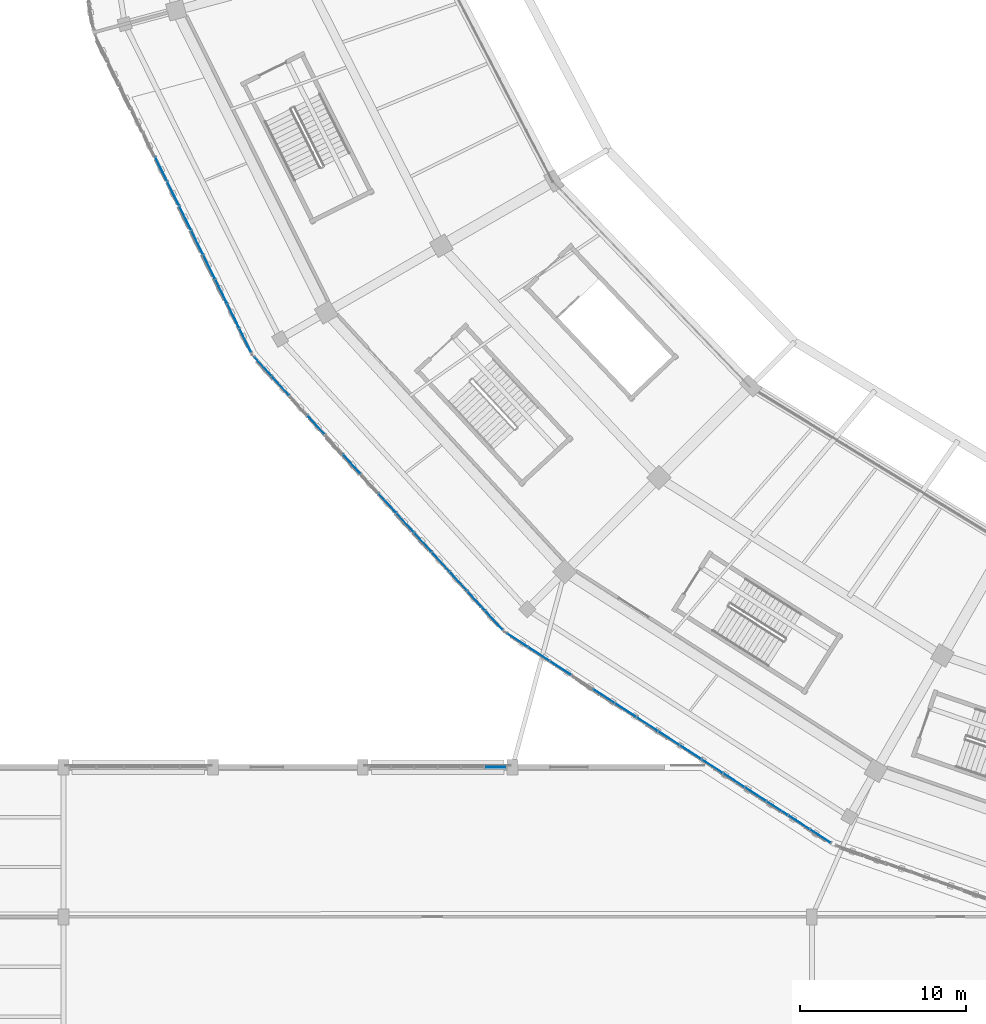
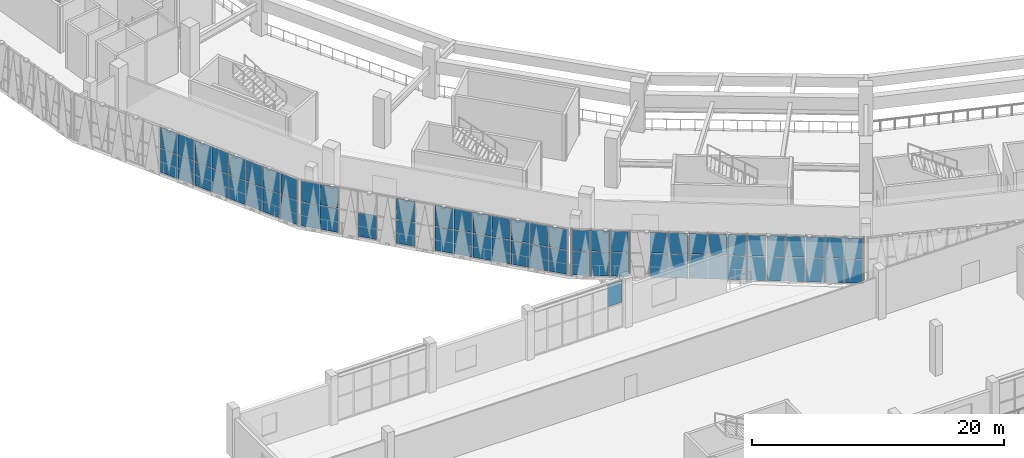
# One storey, part 76 of 179: 66 plates, 4 elements without a shape of their own.
"""IFC4 building model written with IfcOpenShell, lengths in metres."""

from ifc_helpers import new_model, si_unit, direction, frame, origin, origin_2d, place, context, subcontext, project, spatial, rectangle, extrude, material, layer, layer_set, type_object, element, aggregate, save


model = new_model("IFC4")

# Units and contexts
model_context = context("Model", 3, precision=1e-05, world=origin(), true_north=direction((0.0, 1.0)))
body_context = subcontext(model_context, "Body", "Model", "MODEL_VIEW")
ifc_project = project(units=[si_unit("LENGTHUNIT", "METRE"), si_unit("AREAUNIT", "SQUARE_METRE"), si_unit("VOLUMEUNIT", "CUBIC_METRE"), si_unit("PLANEANGLEUNIT", "RADIAN"), si_unit("MASSUNIT", "GRAM", prefix="KILO")], contexts=[model_context])

# Site, building, storey
site_placement = place(None, origin())
site = spatial("IfcSite", under=ifc_project, at=site_placement, CompositionType="ELEMENT")
building_placement = place(site_placement, origin())
building = spatial("IfcBuilding", under=site, at=building_placement, Name="Zevraka Park Crest Stadium", CompositionType="ELEMENT")
storey_placement = place(building_placement, frame((0.0, 0.0, 10.199951171875)))
storey = spatial("IfcBuildingStorey", under=building, at=storey_placement, Name="L02", CompositionType="ELEMENT", Elevation=10.199951171875)

# Curtain wall, plates
ifc_material_1 = material(Name="Anodised architectural aluminium and laminated safety glass", Category="aluminium")
curtain_wall_type_1 = type_object("IfcCurtainWallType", Name="CW07", PredefinedType="NOTDEFINED", material=ifc_material_1)
curtain_wall_1_placement = place(storey_placement, origin())
curtain_wall_1 = element("IfcCurtainWall", 1, at=curtain_wall_1_placement, inside=storey, type_object=curtain_wall_type_1, Name="Unitised Ring Curtain Wall CW07 L02-13", PredefinedType="NOTDEFINED")
ifc_material_2 = material(Name="Solar-control laminated double glazing", Category="glass")
ifc_layer_1 = layer(ifc_material_2, 0.028076171875)
ifc_layer_set_1 = layer_set([ifc_layer_1], Name="Solar-control laminated double glazing")
plate_type_1 = type_object("IfcPlateType", Name="CP07", PredefinedType="CURTAIN_PANEL", material=ifc_layer_set_1)
plate_1_placement = place(storey_placement, frame((23.8720703125, 62.967041015625, 0.06005859375), z_axis=(0.0, 0.0, 1.0), x_axis=(0.441021032455, -0.897496768201, 0.0)))
plate_1 = element("IfcPlate", 2, at=plate_1_placement, type_object=plate_type_1, Name="CW07 panel 6.1", PredefinedType="CURTAIN_PANEL", context=body_context, shape_type="SweptSolid", body=[
    extrude(rectangle(XDim=1.58251953125, YDim=0.028076171875, at=origin_2d()), origin(), (0.0, 0.0, 1.0), 2.31005859375),
])
plate_2_placement = place(storey_placement, frame((23.8720703125, 62.967041015625, 2.43017578125), z_axis=(0.0, 0.0, 1.0), x_axis=(0.441021032455, -0.897496768201, 0.0)))
plate_2 = element("IfcPlate", 3, at=plate_2_placement, type_object=plate_type_1, Name="CW07 panel 6.2", PredefinedType="CURTAIN_PANEL", context=body_context, shape_type="SweptSolid", body=[
    extrude(rectangle(XDim=1.58251953125, YDim=0.028076171875, at=origin_2d()), origin(), (0.0, 0.0, 1.0), 2.010009765625),
])
plate_3_placement = place(storey_placement, frame((24.596435546875, 61.492919921875, 0.06005859375), z_axis=(0.0, 0.0, 1.0), x_axis=(0.441021032455, -0.897496768201, 0.0)))
plate_3 = element("IfcPlate", 4, at=plate_3_placement, type_object=plate_type_1, Name="CW07 panel 7.1", PredefinedType="CURTAIN_PANEL", context=body_context, shape_type="SweptSolid", body=[
    extrude(rectangle(XDim=1.58251953125, YDim=0.028076171875, at=origin_2d()), origin(), (0.0, 0.0, 1.0), 2.31005859375),
])
plate_4_placement = place(storey_placement, frame((24.596435546875, 61.492919921875, 2.43017578125), z_axis=(0.0, 0.0, 1.0), x_axis=(0.441021032455, -0.897496768201, 0.0)))
plate_4 = element("IfcPlate", 5, at=plate_4_placement, type_object=plate_type_1, Name="CW07 panel 7.2", PredefinedType="CURTAIN_PANEL", context=body_context, shape_type="SweptSolid", body=[
    extrude(rectangle(XDim=1.58251953125, YDim=0.028076171875, at=origin_2d()), origin(), (0.0, 0.0, 1.0), 2.010009765625),
])
plate_5_placement = place(storey_placement, frame((25.32080078125, 60.018798828125, 0.06005859375), z_axis=(0.0, 0.0, 1.0), x_axis=(0.441021032455, -0.897496768201, 0.0)))
plate_5 = element("IfcPlate", 6, at=plate_5_placement, type_object=plate_type_1, Name="CW07 panel 8.1", PredefinedType="CURTAIN_PANEL", context=body_context, shape_type="SweptSolid", body=[
    extrude(rectangle(XDim=1.58251953125, YDim=0.028076171875, at=origin_2d()), origin(), (0.0, 0.0, 1.0), 2.31005859375),
])
plate_6_placement = place(storey_placement, frame((25.32080078125, 60.018798828125, 2.43017578125), z_axis=(0.0, 0.0, 1.0), x_axis=(0.441021032455, -0.897496768201, 0.0)))
plate_6 = element("IfcPlate", 7, at=plate_6_placement, type_object=plate_type_1, Name="CW07 panel 8.2", PredefinedType="CURTAIN_PANEL", context=body_context, shape_type="SweptSolid", body=[
    extrude(rectangle(XDim=1.58251953125, YDim=0.028076171875, at=origin_2d()), origin(), (0.0, 0.0, 1.0), 2.010009765625),
])
plate_7_placement = place(storey_placement, frame((26.045166015625, 58.544677734375, 0.06005859375), z_axis=(0.0, 0.0, 1.0), x_axis=(0.441021032455, -0.897496768201, 0.0)))
plate_7 = element("IfcPlate", 8, at=plate_7_placement, type_object=plate_type_1, Name="CW07 panel 9.1", PredefinedType="CURTAIN_PANEL", context=body_context, shape_type="SweptSolid", body=[
    extrude(rectangle(XDim=1.58251953125, YDim=0.028076171875, at=origin_2d()), origin(), (0.0, 0.0, 1.0), 2.31005859375),
])
plate_8_placement = place(storey_placement, frame((26.045166015625, 58.544677734375, 2.43017578125), z_axis=(0.0, 0.0, 1.0), x_axis=(0.441021032455, -0.897496768201, 0.0)))
plate_8 = element("IfcPlate", 9, at=plate_8_placement, type_object=plate_type_1, Name="CW07 panel 9.2", PredefinedType="CURTAIN_PANEL", context=body_context, shape_type="SweptSolid", body=[
    extrude(rectangle(XDim=1.58251953125, YDim=0.028076171875, at=origin_2d()), origin(), (0.0, 0.0, 1.0), 2.010009765625),
])
plate_9_placement = place(storey_placement, frame((26.769775390625, 57.070556640625, 0.06005859375), z_axis=(0.0, 0.0, 1.0), x_axis=(0.441021032455, -0.897496768201, 0.0)))
plate_9 = element("IfcPlate", 10, at=plate_9_placement, type_object=plate_type_1, Name="CW07 panel 10.1", PredefinedType="CURTAIN_PANEL", context=body_context, shape_type="SweptSolid", body=[
    extrude(rectangle(XDim=1.58251953125, YDim=0.028076171875, at=origin_2d()), origin(), (0.0, 0.0, 1.0), 2.31005859375),
])
plate_10_placement = place(storey_placement, frame((26.769775390625, 57.070556640625, 2.43017578125), z_axis=(0.0, 0.0, 1.0), x_axis=(0.441021032455, -0.897496768201, 0.0)))
plate_10 = element("IfcPlate", 11, at=plate_10_placement, type_object=plate_type_1, Name="CW07 panel 10.2", PredefinedType="CURTAIN_PANEL", context=body_context, shape_type="SweptSolid", body=[
    extrude(rectangle(XDim=1.58251953125, YDim=0.028076171875, at=origin_2d()), origin(), (0.0, 0.0, 1.0), 2.010009765625),
])
plate_11_placement = place(storey_placement, frame((27.494140625, 55.596435546875, 0.06005859375), z_axis=(0.0, 0.0, 1.0), x_axis=(0.441021032455, -0.897496768201, 0.0)))
plate_11 = element("IfcPlate", 12, at=plate_11_placement, type_object=plate_type_1, Name="CW07 panel 11.1", PredefinedType="CURTAIN_PANEL", context=body_context, shape_type="SweptSolid", body=[
    extrude(rectangle(XDim=1.58251953125, YDim=0.028076171875, at=origin_2d()), origin(), (0.0, 0.0, 1.0), 2.31005859375),
])
plate_12_placement = place(storey_placement, frame((27.494140625, 55.596435546875, 2.43017578125), z_axis=(0.0, 0.0, 1.0), x_axis=(0.441021032455, -0.897496768201, 0.0)))
plate_12 = element("IfcPlate", 13, at=plate_12_placement, type_object=plate_type_1, Name="CW07 panel 11.2", PredefinedType="CURTAIN_PANEL", context=body_context, shape_type="SweptSolid", body=[
    extrude(rectangle(XDim=1.58251953125, YDim=0.028076171875, at=origin_2d()), origin(), (0.0, 0.0, 1.0), 2.010009765625),
])
plate_13_placement = place(storey_placement, frame((28.218505859375, 54.122314453125, 0.06005859375), z_axis=(0.0, 0.0, 1.0), x_axis=(0.441021032455, -0.897496768201, 0.0)))
plate_13 = element("IfcPlate", 14, at=plate_13_placement, type_object=plate_type_1, Name="CW07 panel 12.1", PredefinedType="CURTAIN_PANEL", context=body_context, shape_type="SweptSolid", body=[
    extrude(rectangle(XDim=1.58251953125, YDim=0.028076171875, at=origin_2d()), origin(), (0.0, 0.0, 1.0), 2.31005859375),
])
plate_14_placement = place(storey_placement, frame((28.218505859375, 54.122314453125, 2.43017578125), z_axis=(0.0, 0.0, 1.0), x_axis=(0.441021032455, -0.897496768201, 0.0)))
plate_14 = element("IfcPlate", 15, at=plate_14_placement, type_object=plate_type_1, Name="CW07 panel 12.2", PredefinedType="CURTAIN_PANEL", context=body_context, shape_type="SweptSolid", body=[
    extrude(rectangle(XDim=1.58251953125, YDim=0.028076171875, at=origin_2d()), origin(), (0.0, 0.0, 1.0), 2.010009765625),
])
plate_15_placement = place(storey_placement, frame((28.936279296875, 52.66162109375, 0.06005859375), z_axis=(0.0, 0.0, 1.0), x_axis=(0.441021032455, -0.897496768201, 0.0)))
plate_15 = element("IfcPlate", 16, at=plate_15_placement, type_object=plate_type_1, Name="CW07 panel 13.1", PredefinedType="CURTAIN_PANEL", context=body_context, shape_type="SweptSolid", body=[
    extrude(rectangle(XDim=1.552490234375, YDim=0.028076171875, at=origin_2d()), origin(), (0.0, 0.0, 1.0), 2.31005859375),
])
plate_16_placement = place(storey_placement, frame((28.936279296875, 52.66162109375, 2.43017578125), z_axis=(0.0, 0.0, 1.0), x_axis=(0.441021032455, -0.897496768201, 0.0)))
plate_16 = element("IfcPlate", 17, at=plate_16_placement, type_object=plate_type_1, Name="CW07 panel 13.2", PredefinedType="CURTAIN_PANEL", context=body_context, shape_type="SweptSolid", body=[
    extrude(rectangle(XDim=1.552490234375, YDim=0.028076171875, at=origin_2d()), origin(), (0.0, 0.0, 1.0), 2.010009765625),
])
aggregate(curtain_wall_1, [plate_1, plate_2, plate_3, plate_4, plate_5, plate_6, plate_7, plate_8, plate_9, plate_10, plate_11, plate_12, plate_13, plate_14, plate_15, plate_16])

ifc_material_3 = material(Name="Anodised architectural aluminium and laminated safety glass", Category="aluminium")
curtain_wall_type_2 = type_object("IfcCurtainWallType", Name="CW08", PredefinedType="NOTDEFINED", material=ifc_material_3)
curtain_wall_2_placement = place(storey_placement, origin())
curtain_wall_2 = element("IfcCurtainWall", 18, at=curtain_wall_2_placement, inside=storey, type_object=curtain_wall_type_2, Name="Unitised Ring Curtain Wall CW08 L02-14", PredefinedType="NOTDEFINED")
ifc_material_4 = material(Name="Solar-control laminated double glazing", Category="glass")
ifc_layer_2 = layer(ifc_material_4, 0.028076171875)
ifc_layer_set_2 = layer_set([ifc_layer_2], Name="Solar-control laminated double glazing")
plate_type_2 = type_object("IfcPlateType", Name="CP08", PredefinedType="CURTAIN_PANEL", material=ifc_layer_set_2)
plate_17_placement = place(storey_placement, frame((29.994140625, 51.099853515625, 0.06494140625), z_axis=(0.0, 0.0, 1.0), x_axis=(0.673159987494, -0.739496877097, 0.0)))
plate_17 = element("IfcPlate", 19, at=plate_17_placement, type_object=plate_type_2, Name="CW08 panel 1.1", PredefinedType="CURTAIN_PANEL", context=body_context, shape_type="SweptSolid", body=[
    extrude(rectangle(XDim=1.492919921875, YDim=0.028076171875, at=origin_2d()), origin(), (0.0, 0.0, 1.0), 2.302490234375),
])
plate_18_placement = place(storey_placement, frame((29.994140625, 51.099853515625, 2.4326171875), z_axis=(0.0, 0.0, 1.0), x_axis=(0.673159987494, -0.739496877097, 0.0)))
plate_18 = element("IfcPlate", 20, at=plate_18_placement, type_object=plate_type_2, Name="CW08 panel 1.2", PredefinedType="CURTAIN_PANEL", context=body_context, shape_type="SweptSolid", body=[
    extrude(rectangle(XDim=1.492919921875, YDim=0.028076171875, at=origin_2d()), origin(), (0.0, 0.0, 1.0), 2.00244140625),
])
plate_19_placement = place(storey_placement, frame((31.053955078125, 49.935791015625, 0.06494140625), z_axis=(0.0, 0.0, 1.0), x_axis=(0.673159987494, -0.739496877097, 0.0)))
plate_19 = element("IfcPlate", 21, at=plate_19_placement, type_object=plate_type_2, Name="CW08 panel 2.1", PredefinedType="CURTAIN_PANEL", context=body_context, shape_type="SweptSolid", body=[
    extrude(rectangle(XDim=1.525390625, YDim=0.028076171875, at=origin_2d()), origin(), (0.0, 0.0, 1.0), 2.302490234375),
])
plate_20_placement = place(storey_placement, frame((31.053955078125, 49.935791015625, 2.4326171875), z_axis=(0.0, 0.0, 1.0), x_axis=(0.673159987494, -0.739496877097, 0.0)))
plate_20 = element("IfcPlate", 22, at=plate_20_placement, type_object=plate_type_2, Name="CW08 panel 2.2", PredefinedType="CURTAIN_PANEL", context=body_context, shape_type="SweptSolid", body=[
    extrude(rectangle(XDim=1.525390625, YDim=0.028076171875, at=origin_2d()), origin(), (0.0, 0.0, 1.0), 2.00244140625),
])
plate_21_placement = place(storey_placement, frame((33.195068359375, 47.583740234375, 0.06494140625), z_axis=(0.0, 0.0, 1.0), x_axis=(0.673159987494, -0.739496877097, 0.0)))
plate_21 = element("IfcPlate", 23, at=plate_21_placement, type_object=plate_type_2, Name="CW08 panel 4.1", PredefinedType="CURTAIN_PANEL", context=body_context, shape_type="SweptSolid", body=[
    extrude(rectangle(XDim=1.525390625, YDim=0.028076171875, at=origin_2d()), origin(), (0.0, 0.0, 1.0), 2.302490234375),
])
plate_22_placement = place(storey_placement, frame((35.336181640625, 45.231689453125, 0.06494140625), z_axis=(0.0, 0.0, 1.0), x_axis=(0.673159987494, -0.739496877097, 0.0)))
plate_22 = element("IfcPlate", 24, at=plate_22_placement, type_object=plate_type_2, Name="CW08 panel 6.1", PredefinedType="CURTAIN_PANEL", context=body_context, shape_type="SweptSolid", body=[
    extrude(rectangle(XDim=1.525390625, YDim=0.028076171875, at=origin_2d()), origin(), (0.0, 0.0, 1.0), 2.302490234375),
])
plate_23_placement = place(storey_placement, frame((35.336181640625, 45.231689453125, 2.4326171875), z_axis=(0.0, 0.0, 1.0), x_axis=(0.673159987494, -0.739496877097, 0.0)))
plate_23 = element("IfcPlate", 25, at=plate_23_placement, type_object=plate_type_2, Name="CW08 panel 6.2", PredefinedType="CURTAIN_PANEL", context=body_context, shape_type="SweptSolid", body=[
    extrude(rectangle(XDim=1.525390625, YDim=0.028076171875, at=origin_2d()), origin(), (0.0, 0.0, 1.0), 2.00244140625),
])
plate_24_placement = place(storey_placement, frame((37.477294921875, 42.87939453125, 0.06494140625), z_axis=(0.0, 0.0, 1.0), x_axis=(0.673159987494, -0.739496877097, 0.0)))
plate_24 = element("IfcPlate", 26, at=plate_24_placement, type_object=plate_type_2, Name="CW08 panel 8.1", PredefinedType="CURTAIN_PANEL", context=body_context, shape_type="SweptSolid", body=[
    extrude(rectangle(XDim=1.525390625, YDim=0.028076171875, at=origin_2d()), origin(), (0.0, 0.0, 1.0), 2.302490234375),
])
plate_25_placement = place(storey_placement, frame((37.477294921875, 42.87939453125, 2.4326171875), z_axis=(0.0, 0.0, 1.0), x_axis=(0.673159987494, -0.739496877097, 0.0)))
plate_25 = element("IfcPlate", 27, at=plate_25_placement, type_object=plate_type_2, Name="CW08 panel 8.2", PredefinedType="CURTAIN_PANEL", context=body_context, shape_type="SweptSolid", body=[
    extrude(rectangle(XDim=1.525390625, YDim=0.028076171875, at=origin_2d()), origin(), (0.0, 0.0, 1.0), 2.00244140625),
])
plate_26_placement = place(storey_placement, frame((38.5478515625, 41.703369140625, 0.06494140625), z_axis=(0.0, 0.0, 1.0), x_axis=(0.673159987494, -0.739496877097, 0.0)))
plate_26 = element("IfcPlate", 28, at=plate_26_placement, type_object=plate_type_2, Name="CW08 panel 9.1", PredefinedType="CURTAIN_PANEL", context=body_context, shape_type="SweptSolid", body=[
    extrude(rectangle(XDim=1.525390625, YDim=0.028076171875, at=origin_2d()), origin(), (0.0, 0.0, 1.0), 2.302490234375),
])
plate_27_placement = place(storey_placement, frame((38.5478515625, 41.703369140625, 2.4326171875), z_axis=(0.0, 0.0, 1.0), x_axis=(0.673159987494, -0.739496877097, 0.0)))
plate_27 = element("IfcPlate", 29, at=plate_27_placement, type_object=plate_type_2, Name="CW08 panel 9.2", PredefinedType="CURTAIN_PANEL", context=body_context, shape_type="SweptSolid", body=[
    extrude(rectangle(XDim=1.525390625, YDim=0.028076171875, at=origin_2d()), origin(), (0.0, 0.0, 1.0), 2.00244140625),
])
plate_28_placement = place(storey_placement, frame((39.618408203125, 40.52734375, 0.06494140625), z_axis=(0.0, 0.0, 1.0), x_axis=(0.673159987494, -0.739496877097, 0.0)))
plate_28 = element("IfcPlate", 30, at=plate_28_placement, type_object=plate_type_2, Name="CW08 panel 10.1", PredefinedType="CURTAIN_PANEL", context=body_context, shape_type="SweptSolid", body=[
    extrude(rectangle(XDim=1.525390625, YDim=0.028076171875, at=origin_2d()), origin(), (0.0, 0.0, 1.0), 2.302490234375),
])
plate_29_placement = place(storey_placement, frame((39.618408203125, 40.52734375, 2.4326171875), z_axis=(0.0, 0.0, 1.0), x_axis=(0.673159987494, -0.739496877097, 0.0)))
plate_29 = element("IfcPlate", 31, at=plate_29_placement, type_object=plate_type_2, Name="CW08 panel 10.2", PredefinedType="CURTAIN_PANEL", context=body_context, shape_type="SweptSolid", body=[
    extrude(rectangle(XDim=1.525390625, YDim=0.028076171875, at=origin_2d()), origin(), (0.0, 0.0, 1.0), 2.00244140625),
])
plate_30_placement = place(storey_placement, frame((40.68896484375, 39.351318359375, 0.06494140625), z_axis=(0.0, 0.0, 1.0), x_axis=(0.673159987494, -0.739496877097, 0.0)))
plate_30 = element("IfcPlate", 32, at=plate_30_placement, type_object=plate_type_2, Name="CW08 panel 11.1", PredefinedType="CURTAIN_PANEL", context=body_context, shape_type="SweptSolid", body=[
    extrude(rectangle(XDim=1.525390625, YDim=0.028076171875, at=origin_2d()), origin(), (0.0, 0.0, 1.0), 2.302490234375),
])
plate_31_placement = place(storey_placement, frame((40.68896484375, 39.351318359375, 2.4326171875), z_axis=(0.0, 0.0, 1.0), x_axis=(0.673159987494, -0.739496877097, 0.0)))
plate_31 = element("IfcPlate", 33, at=plate_31_placement, type_object=plate_type_2, Name="CW08 panel 11.2", PredefinedType="CURTAIN_PANEL", context=body_context, shape_type="SweptSolid", body=[
    extrude(rectangle(XDim=1.525390625, YDim=0.028076171875, at=origin_2d()), origin(), (0.0, 0.0, 1.0), 2.00244140625),
])
plate_32_placement = place(storey_placement, frame((41.759521484375, 38.17529296875, 0.06494140625), z_axis=(0.0, 0.0, 1.0), x_axis=(0.673159987494, -0.739496877097, 0.0)))
plate_32 = element("IfcPlate", 34, at=plate_32_placement, type_object=plate_type_2, Name="CW08 panel 12.1", PredefinedType="CURTAIN_PANEL", context=body_context, shape_type="SweptSolid", body=[
    extrude(rectangle(XDim=1.525390625, YDim=0.028076171875, at=origin_2d()), origin(), (0.0, 0.0, 1.0), 2.302490234375),
])
plate_33_placement = place(storey_placement, frame((41.759521484375, 38.17529296875, 2.4326171875), z_axis=(0.0, 0.0, 1.0), x_axis=(0.673159987494, -0.739496877097, 0.0)))
plate_33 = element("IfcPlate", 35, at=plate_33_placement, type_object=plate_type_2, Name="CW08 panel 12.2", PredefinedType="CURTAIN_PANEL", context=body_context, shape_type="SweptSolid", body=[
    extrude(rectangle(XDim=1.525390625, YDim=0.028076171875, at=origin_2d()), origin(), (0.0, 0.0, 1.0), 2.00244140625),
])
plate_34_placement = place(storey_placement, frame((42.830078125, 36.9990234375, 0.06494140625), z_axis=(0.0, 0.0, 1.0), x_axis=(0.673159987494, -0.739496877097, 0.0)))
plate_34 = element("IfcPlate", 36, at=plate_34_placement, type_object=plate_type_2, Name="CW08 panel 13.1", PredefinedType="CURTAIN_PANEL", context=body_context, shape_type="SweptSolid", body=[
    extrude(rectangle(XDim=1.525390625, YDim=0.028076171875, at=origin_2d()), origin(), (0.0, 0.0, 1.0), 2.302490234375),
])
plate_35_placement = place(storey_placement, frame((42.830078125, 36.9990234375, 2.4326171875), z_axis=(0.0, 0.0, 1.0), x_axis=(0.673159987494, -0.739496877097, 0.0)))
plate_35 = element("IfcPlate", 37, at=plate_35_placement, type_object=plate_type_2, Name="CW08 panel 13.2", PredefinedType="CURTAIN_PANEL", context=body_context, shape_type="SweptSolid", body=[
    extrude(rectangle(XDim=1.525390625, YDim=0.028076171875, at=origin_2d()), origin(), (0.0, 0.0, 1.0), 2.00244140625),
])
plate_36_placement = place(storey_placement, frame((43.889892578125, 35.8349609375, 0.06494140625), z_axis=(0.0, 0.0, 1.0), x_axis=(0.673159987494, -0.739496877097, 0.0)))
plate_36 = element("IfcPlate", 38, at=plate_36_placement, type_object=plate_type_2, Name="CW08 panel 14.1", PredefinedType="CURTAIN_PANEL", context=body_context, shape_type="SweptSolid", body=[
    extrude(rectangle(XDim=1.492919921875, YDim=0.028076171875, at=origin_2d()), origin(), (0.0, 0.0, 1.0), 2.302490234375),
])
plate_37_placement = place(storey_placement, frame((43.889892578125, 35.8349609375, 2.4326171875), z_axis=(0.0, 0.0, 1.0), x_axis=(0.673159987494, -0.739496877097, 0.0)))
plate_37 = element("IfcPlate", 39, at=plate_37_placement, type_object=plate_type_2, Name="CW08 panel 14.2", PredefinedType="CURTAIN_PANEL", context=body_context, shape_type="SweptSolid", body=[
    extrude(rectangle(XDim=1.492919921875, YDim=0.028076171875, at=origin_2d()), origin(), (0.0, 0.0, 1.0), 2.00244140625),
])
aggregate(curtain_wall_2, [plate_17, plate_18, plate_19, plate_20, plate_21, plate_22, plate_23, plate_24, plate_25, plate_26, plate_27, plate_28, plate_29, plate_30, plate_31, plate_32, plate_33, plate_34, plate_35, plate_36, plate_37])

curtain_wall_3_placement = place(storey_placement, origin())
curtain_wall_3 = element("IfcCurtainWall", 40, at=curtain_wall_3_placement, inside=storey, type_object=curtain_wall_type_2, Name="Unitised Ring Curtain Wall CW08 L02-15", PredefinedType="NOTDEFINED")
plate_38_placement = place(storey_placement, frame((45.297119140625, 34.638916015625, 0.06494140625), z_axis=(0.0, 0.0, 1.0), x_axis=(0.839670424967, -0.543096287444, 0.0)))
plate_38 = element("IfcPlate", 41, at=plate_38_placement, type_object=plate_type_2, Name="CW08 panel 1.1", PredefinedType="CURTAIN_PANEL", context=body_context, shape_type="SweptSolid", body=[
    extrude(rectangle(XDim=1.4541015625, YDim=0.028076171875, at=origin_2d()), origin(), (0.0, 0.0, 1.0), 2.302490234375),
])
plate_39_placement = place(storey_placement, frame((45.297119140625, 34.638916015625, 2.4326171875), z_axis=(0.0, 0.0, 1.0), x_axis=(0.839670424967, -0.543096287444, 0.0)))
plate_39 = element("IfcPlate", 42, at=plate_39_placement, type_object=plate_type_2, Name="CW08 panel 1.2", PredefinedType="CURTAIN_PANEL", context=body_context, shape_type="SweptSolid", body=[
    extrude(rectangle(XDim=1.4541015625, YDim=0.028076171875, at=origin_2d()), origin(), (0.0, 0.0, 1.0), 2.00244140625),
])
plate_40_placement = place(storey_placement, frame((46.58642578125, 33.804931640625, 0.06494140625), z_axis=(0.0, 0.0, 1.0), x_axis=(0.839670424967, -0.543096287444, 0.0)))
plate_40 = element("IfcPlate", 43, at=plate_40_placement, type_object=plate_type_2, Name="CW08 panel 2.1", PredefinedType="CURTAIN_PANEL", context=body_context, shape_type="SweptSolid", body=[
    extrude(rectangle(XDim=1.48681640625, YDim=0.028076171875, at=origin_2d()), origin(), (0.0, 0.0, 1.0), 2.302490234375),
])
plate_41_placement = place(storey_placement, frame((46.58642578125, 33.804931640625, 2.4326171875), z_axis=(0.0, 0.0, 1.0), x_axis=(0.839670424967, -0.543096287444, 0.0)))
plate_41 = element("IfcPlate", 44, at=plate_41_placement, type_object=plate_type_2, Name="CW08 panel 2.2", PredefinedType="CURTAIN_PANEL", context=body_context, shape_type="SweptSolid", body=[
    extrude(rectangle(XDim=1.48681640625, YDim=0.028076171875, at=origin_2d()), origin(), (0.0, 0.0, 1.0), 2.00244140625),
])
plate_42_placement = place(storey_placement, frame((47.889404296875, 32.962158203125, 0.06494140625), z_axis=(0.0, 0.0, 1.0), x_axis=(0.839670424967, -0.543096287444, 0.0)))
plate_42 = element("IfcPlate", 45, at=plate_42_placement, type_object=plate_type_2, Name="CW08 panel 3.1", PredefinedType="CURTAIN_PANEL", context=body_context, shape_type="SweptSolid", body=[
    extrude(rectangle(XDim=1.48681640625, YDim=0.028076171875, at=origin_2d()), origin(), (0.0, 0.0, 1.0), 2.302490234375),
])
plate_43_placement = place(storey_placement, frame((47.889404296875, 32.962158203125, 2.4326171875), z_axis=(0.0, 0.0, 1.0), x_axis=(0.839670424967, -0.543096287444, 0.0)))
plate_43 = element("IfcPlate", 46, at=plate_43_placement, type_object=plate_type_2, Name="CW08 panel 3.2", PredefinedType="CURTAIN_PANEL", context=body_context, shape_type="SweptSolid", body=[
    extrude(rectangle(XDim=1.48681640625, YDim=0.028076171875, at=origin_2d()), origin(), (0.0, 0.0, 1.0), 2.00244140625),
])
plate_44_placement = place(storey_placement, frame((50.4951171875, 31.276611328125, 0.06494140625), z_axis=(0.0, 0.0, 1.0), x_axis=(0.839670424967, -0.543096287444, 0.0)))
plate_44 = element("IfcPlate", 47, at=plate_44_placement, type_object=plate_type_2, Name="CW08 panel 5.1", PredefinedType="CURTAIN_PANEL", context=body_context, shape_type="SweptSolid", body=[
    extrude(rectangle(XDim=1.48681640625, YDim=0.028076171875, at=origin_2d()), origin(), (0.0, 0.0, 1.0), 2.302490234375),
])
plate_45_placement = place(storey_placement, frame((50.4951171875, 31.276611328125, 2.4326171875), z_axis=(0.0, 0.0, 1.0), x_axis=(0.839670424967, -0.543096287444, 0.0)))
plate_45 = element("IfcPlate", 48, at=plate_45_placement, type_object=plate_type_2, Name="CW08 panel 5.2", PredefinedType="CURTAIN_PANEL", context=body_context, shape_type="SweptSolid", body=[
    extrude(rectangle(XDim=1.48681640625, YDim=0.028076171875, at=origin_2d()), origin(), (0.0, 0.0, 1.0), 2.00244140625),
])
plate_46_placement = place(storey_placement, frame((51.798095703125, 30.43408203125, 0.06494140625), z_axis=(0.0, 0.0, 1.0), x_axis=(0.839670424967, -0.543096287444, 0.0)))
plate_46 = element("IfcPlate", 49, at=plate_46_placement, type_object=plate_type_2, Name="CW08 panel 6.1", PredefinedType="CURTAIN_PANEL", context=body_context, shape_type="SweptSolid", body=[
    extrude(rectangle(XDim=1.48681640625, YDim=0.028076171875, at=origin_2d()), origin(), (0.0, 0.0, 1.0), 2.302490234375),
])
plate_47_placement = place(storey_placement, frame((51.798095703125, 30.43408203125, 2.4326171875), z_axis=(0.0, 0.0, 1.0), x_axis=(0.839670424967, -0.543096287444, 0.0)))
plate_47 = element("IfcPlate", 50, at=plate_47_placement, type_object=plate_type_2, Name="CW08 panel 6.2", PredefinedType="CURTAIN_PANEL", context=body_context, shape_type="SweptSolid", body=[
    extrude(rectangle(XDim=1.48681640625, YDim=0.028076171875, at=origin_2d()), origin(), (0.0, 0.0, 1.0), 2.00244140625),
])
plate_48_placement = place(storey_placement, frame((53.10107421875, 29.59130859375, 0.06494140625), z_axis=(0.0, 0.0, 1.0), x_axis=(0.839670424967, -0.543096287444, 0.0)))
plate_48 = element("IfcPlate", 51, at=plate_48_placement, type_object=plate_type_2, Name="CW08 panel 7.1", PredefinedType="CURTAIN_PANEL", context=body_context, shape_type="SweptSolid", body=[
    extrude(rectangle(XDim=1.48681640625, YDim=0.028076171875, at=origin_2d()), origin(), (0.0, 0.0, 1.0), 2.302490234375),
])
plate_49_placement = place(storey_placement, frame((53.10107421875, 29.59130859375, 2.4326171875), z_axis=(0.0, 0.0, 1.0), x_axis=(0.839670424967, -0.543096287444, 0.0)))
plate_49 = element("IfcPlate", 52, at=plate_49_placement, type_object=plate_type_2, Name="CW08 panel 7.2", PredefinedType="CURTAIN_PANEL", context=body_context, shape_type="SweptSolid", body=[
    extrude(rectangle(XDim=1.48681640625, YDim=0.028076171875, at=origin_2d()), origin(), (0.0, 0.0, 1.0), 2.00244140625),
])
plate_50_placement = place(storey_placement, frame((54.404052734375, 28.74853515625, 0.06494140625), z_axis=(0.0, 0.0, 1.0), x_axis=(0.839670424967, -0.543096287444, 0.0)))
plate_50 = element("IfcPlate", 53, at=plate_50_placement, type_object=plate_type_2, Name="CW08 panel 8.1", PredefinedType="CURTAIN_PANEL", context=body_context, shape_type="SweptSolid", body=[
    extrude(rectangle(XDim=1.48681640625, YDim=0.028076171875, at=origin_2d()), origin(), (0.0, 0.0, 1.0), 2.302490234375),
])
plate_51_placement = place(storey_placement, frame((54.404052734375, 28.74853515625, 2.4326171875), z_axis=(0.0, 0.0, 1.0), x_axis=(0.839670424967, -0.543096287444, 0.0)))
plate_51 = element("IfcPlate", 54, at=plate_51_placement, type_object=plate_type_2, Name="CW08 panel 8.2", PredefinedType="CURTAIN_PANEL", context=body_context, shape_type="SweptSolid", body=[
    extrude(rectangle(XDim=1.48681640625, YDim=0.028076171875, at=origin_2d()), origin(), (0.0, 0.0, 1.0), 2.00244140625),
])
plate_52_placement = place(storey_placement, frame((55.70703125, 27.90576171875, 0.06494140625), z_axis=(0.0, 0.0, 1.0), x_axis=(0.839670424967, -0.543096287444, 0.0)))
plate_52 = element("IfcPlate", 55, at=plate_52_placement, type_object=plate_type_2, Name="CW08 panel 9.1", PredefinedType="CURTAIN_PANEL", context=body_context, shape_type="SweptSolid", body=[
    extrude(rectangle(XDim=1.48681640625, YDim=0.028076171875, at=origin_2d()), origin(), (0.0, 0.0, 1.0), 2.302490234375),
])
plate_53_placement = place(storey_placement, frame((55.70703125, 27.90576171875, 2.4326171875), z_axis=(0.0, 0.0, 1.0), x_axis=(0.839670424967, -0.543096287444, 0.0)))
plate_53 = element("IfcPlate", 56, at=plate_53_placement, type_object=plate_type_2, Name="CW08 panel 9.2", PredefinedType="CURTAIN_PANEL", context=body_context, shape_type="SweptSolid", body=[
    extrude(rectangle(XDim=1.48681640625, YDim=0.028076171875, at=origin_2d()), origin(), (0.0, 0.0, 1.0), 2.00244140625),
])
plate_54_placement = place(storey_placement, frame((57.009765625, 27.06298828125, 0.06494140625), z_axis=(0.0, 0.0, 1.0), x_axis=(0.839670424967, -0.543096287444, 0.0)))
plate_54 = element("IfcPlate", 57, at=plate_54_placement, type_object=plate_type_2, Name="CW08 panel 10.1", PredefinedType="CURTAIN_PANEL", context=body_context, shape_type="SweptSolid", body=[
    extrude(rectangle(XDim=1.48681640625, YDim=0.028076171875, at=origin_2d()), origin(), (0.0, 0.0, 1.0), 2.302490234375),
])
plate_55_placement = place(storey_placement, frame((57.009765625, 27.06298828125, 2.4326171875), z_axis=(0.0, 0.0, 1.0), x_axis=(0.839670424967, -0.543096287444, 0.0)))
plate_55 = element("IfcPlate", 58, at=plate_55_placement, type_object=plate_type_2, Name="CW08 panel 10.2", PredefinedType="CURTAIN_PANEL", context=body_context, shape_type="SweptSolid", body=[
    extrude(rectangle(XDim=1.48681640625, YDim=0.028076171875, at=origin_2d()), origin(), (0.0, 0.0, 1.0), 2.00244140625),
])
plate_56_placement = place(storey_placement, frame((58.312744140625, 26.22021484375, 0.06494140625), z_axis=(0.0, 0.0, 1.0), x_axis=(0.839670424967, -0.543096287444, 0.0)))
plate_56 = element("IfcPlate", 59, at=plate_56_placement, type_object=plate_type_2, Name="CW08 panel 11.1", PredefinedType="CURTAIN_PANEL", context=body_context, shape_type="SweptSolid", body=[
    extrude(rectangle(XDim=1.48681640625, YDim=0.028076171875, at=origin_2d()), origin(), (0.0, 0.0, 1.0), 2.302490234375),
])
plate_57_placement = place(storey_placement, frame((58.312744140625, 26.22021484375, 2.4326171875), z_axis=(0.0, 0.0, 1.0), x_axis=(0.839670424967, -0.543096287444, 0.0)))
plate_57 = element("IfcPlate", 60, at=plate_57_placement, type_object=plate_type_2, Name="CW08 panel 11.2", PredefinedType="CURTAIN_PANEL", context=body_context, shape_type="SweptSolid", body=[
    extrude(rectangle(XDim=1.48681640625, YDim=0.028076171875, at=origin_2d()), origin(), (0.0, 0.0, 1.0), 2.00244140625),
])
plate_58_placement = place(storey_placement, frame((59.61572265625, 25.377685546875, 0.06494140625), z_axis=(0.0, 0.0, 1.0), x_axis=(0.839670424967, -0.543096287444, 0.0)))
plate_58 = element("IfcPlate", 61, at=plate_58_placement, type_object=plate_type_2, Name="CW08 panel 12.1", PredefinedType="CURTAIN_PANEL", context=body_context, shape_type="SweptSolid", body=[
    extrude(rectangle(XDim=1.48681640625, YDim=0.028076171875, at=origin_2d()), origin(), (0.0, 0.0, 1.0), 2.302490234375),
])
plate_59_placement = place(storey_placement, frame((59.61572265625, 25.377685546875, 2.4326171875), z_axis=(0.0, 0.0, 1.0), x_axis=(0.839670424967, -0.543096287444, 0.0)))
plate_59 = element("IfcPlate", 62, at=plate_59_placement, type_object=plate_type_2, Name="CW08 panel 12.2", PredefinedType="CURTAIN_PANEL", context=body_context, shape_type="SweptSolid", body=[
    extrude(rectangle(XDim=1.48681640625, YDim=0.028076171875, at=origin_2d()), origin(), (0.0, 0.0, 1.0), 2.00244140625),
])
plate_60_placement = place(storey_placement, frame((60.918701171875, 24.534912109375, 0.06494140625), z_axis=(0.0, 0.0, 1.0), x_axis=(0.839670424967, -0.543096287444, 0.0)))
plate_60 = element("IfcPlate", 63, at=plate_60_placement, type_object=plate_type_2, Name="CW08 panel 13.1", PredefinedType="CURTAIN_PANEL", context=body_context, shape_type="SweptSolid", body=[
    extrude(rectangle(XDim=1.48681640625, YDim=0.028076171875, at=origin_2d()), origin(), (0.0, 0.0, 1.0), 2.302490234375),
])
plate_61_placement = place(storey_placement, frame((60.918701171875, 24.534912109375, 2.4326171875), z_axis=(0.0, 0.0, 1.0), x_axis=(0.839670424967, -0.543096287444, 0.0)))
plate_61 = element("IfcPlate", 64, at=plate_61_placement, type_object=plate_type_2, Name="CW08 panel 13.2", PredefinedType="CURTAIN_PANEL", context=body_context, shape_type="SweptSolid", body=[
    extrude(rectangle(XDim=1.48681640625, YDim=0.028076171875, at=origin_2d()), origin(), (0.0, 0.0, 1.0), 2.00244140625),
])
plate_62_placement = place(storey_placement, frame((62.2216796875, 23.692138671875, 0.06494140625), z_axis=(0.0, 0.0, 1.0), x_axis=(0.839670424967, -0.543096287444, 0.0)))
plate_62 = element("IfcPlate", 65, at=plate_62_placement, type_object=plate_type_2, Name="CW08 panel 14.1", PredefinedType="CURTAIN_PANEL", context=body_context, shape_type="SweptSolid", body=[
    extrude(rectangle(XDim=1.48681640625, YDim=0.028076171875, at=origin_2d()), origin(), (0.0, 0.0, 1.0), 2.302490234375),
])
plate_63_placement = place(storey_placement, frame((62.2216796875, 23.692138671875, 2.4326171875), z_axis=(0.0, 0.0, 1.0), x_axis=(0.839670424967, -0.543096287444, 0.0)))
plate_63 = element("IfcPlate", 66, at=plate_63_placement, type_object=plate_type_2, Name="CW08 panel 14.2", PredefinedType="CURTAIN_PANEL", context=body_context, shape_type="SweptSolid", body=[
    extrude(rectangle(XDim=1.48681640625, YDim=0.028076171875, at=origin_2d()), origin(), (0.0, 0.0, 1.0), 2.00244140625),
])
plate_64_placement = place(storey_placement, frame((63.510986328125, 22.858154296875, 0.06494140625), z_axis=(0.0, 0.0, 1.0), x_axis=(0.839670424967, -0.543096287444, 0.0)))
plate_64 = element("IfcPlate", 67, at=plate_64_placement, type_object=plate_type_2, Name="CW08 panel 15.1", PredefinedType="CURTAIN_PANEL", context=body_context, shape_type="SweptSolid", body=[
    extrude(rectangle(XDim=1.4541015625, YDim=0.028076171875, at=origin_2d()), origin(), (0.0, 0.0, 1.0), 2.302490234375),
])
plate_65_placement = place(storey_placement, frame((63.510986328125, 22.858154296875, 2.4326171875), z_axis=(0.0, 0.0, 1.0), x_axis=(0.839670424967, -0.543096287444, 0.0)))
plate_65 = element("IfcPlate", 68, at=plate_65_placement, type_object=plate_type_2, Name="CW08 panel 15.2", PredefinedType="CURTAIN_PANEL", context=body_context, shape_type="SweptSolid", body=[
    extrude(rectangle(XDim=1.4541015625, YDim=0.028076171875, at=origin_2d()), origin(), (0.0, 0.0, 1.0), 2.00244140625),
])
aggregate(curtain_wall_3, [plate_38, plate_39, plate_40, plate_41, plate_42, plate_43, plate_44, plate_45, plate_46, plate_47, plate_48, plate_49, plate_50, plate_51, plate_52, plate_53, plate_54, plate_55, plate_56, plate_57, plate_58, plate_59, plate_60, plate_61, plate_62, plate_63, plate_64, plate_65])

# Curtain wall, plate
ifc_material_5 = material(Name="Anodised architectural aluminium and laminated safety glass", Category="aluminium")
curtain_wall_type_3 = type_object("IfcCurtainWallType", Name="CW26", PredefinedType="NOTDEFINED", material=ifc_material_5)
curtain_wall_4_placement = place(storey_placement, origin())
curtain_wall_4 = element("IfcCurtainWall", 69, at=curtain_wall_4_placement, inside=storey, type_object=curtain_wall_type_3, Name="Wing Curtain Wall CW26 L02-SW-N-4", PredefinedType="NOTDEFINED")
ifc_material_6 = material(Name="Solar-control laminated double glazing", Category="glass")
ifc_layer_3 = layer(ifc_material_6, 0.035888671875)
ifc_layer_set_3 = layer_set([ifc_layer_3], Name="Solar-control laminated double glazing")
plate_type_3 = type_object("IfcPlateType", Name="CP26", PredefinedType="CURTAIN_PANEL", material=ifc_layer_set_3)
plate_66_placement = place(storey_placement, frame((43.97119140625, 27.0, 2.33251953125), z_axis=(0.0, 0.0, 1.0), x_axis=(1.0, 0.0, 0.0)))
plate_66 = element("IfcPlate", 70, at=plate_66_placement, type_object=plate_type_3, Name="CW26 panel 6.2", PredefinedType="CURTAIN_PANEL", context=body_context, shape_type="SweptSolid", body=[
    extrude(rectangle(XDim=1.297607421875, YDim=0.035888671875, at=origin_2d()), origin(), (0.0, 0.0, 1.0), 2.1025390625),
])
aggregate(curtain_wall_4, [plate_66])

save(model, "model.ifc")
